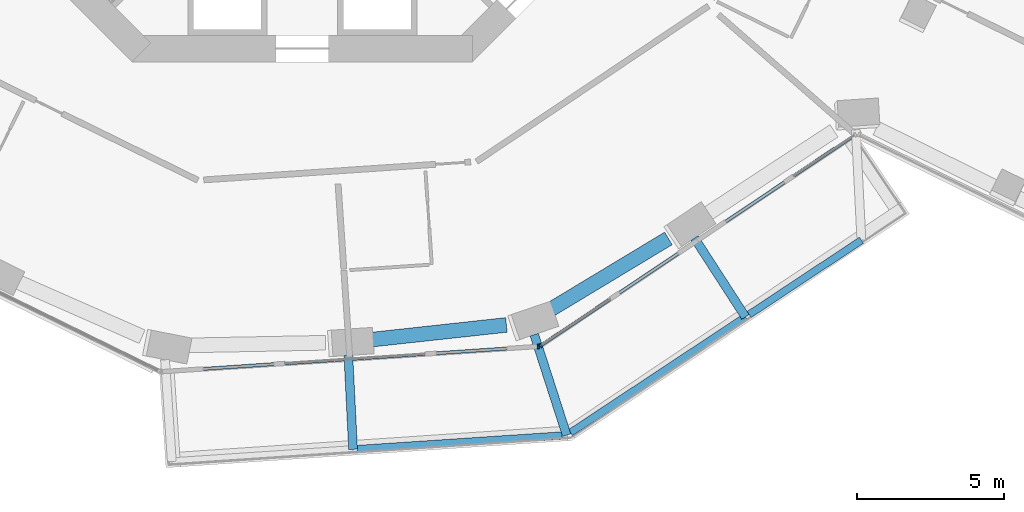
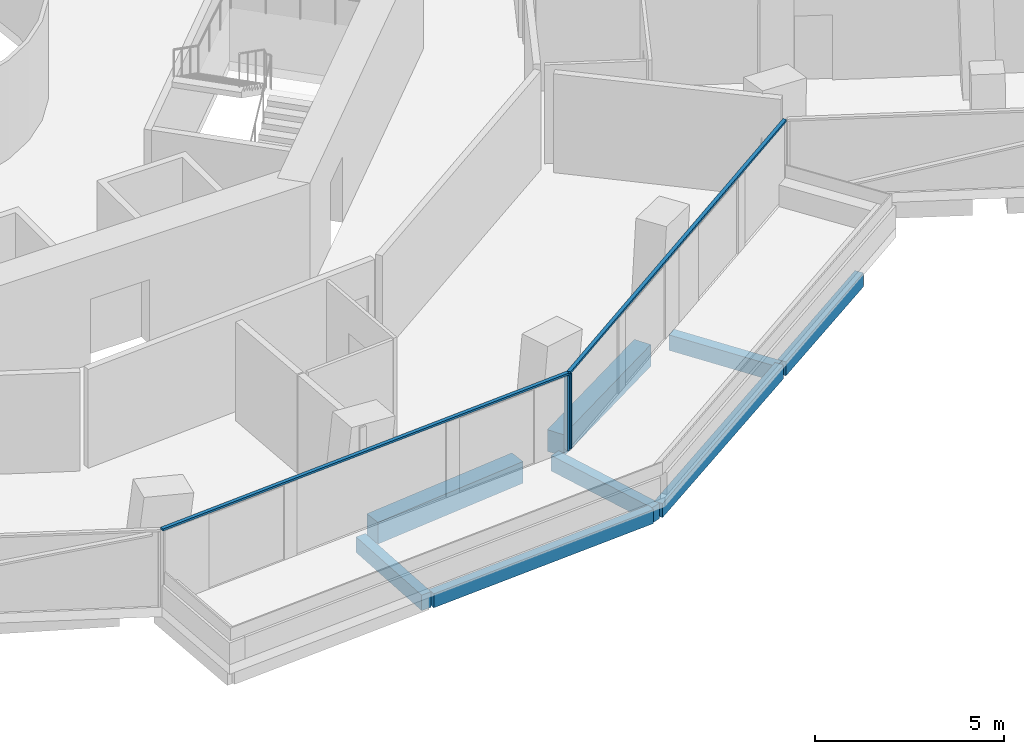
# One storey, part 5 of 25: 8 beams, 4 members, 2 elements without a shape of their own.
"""IFC4 building model written with IfcOpenShell, lengths in metres."""

from ifc_helpers import new_model, si_unit, direction, frame, origin, origin_2d, place, context, subcontext, project, spatial, rectangle, extrude, material, layer, layer_set, material_profile, profile_set, type_object, element, aggregate, save


model = new_model("IFC4")

# Units and contexts
model_context = context("Model", 3, precision=1e-05, world=origin(), true_north=direction((0.0, 1.0)))
body_context = subcontext(model_context, "Body", "Model", "MODEL_VIEW")
ifc_project = project(units=[si_unit("LENGTHUNIT", "METRE"), si_unit("AREAUNIT", "SQUARE_METRE"), si_unit("VOLUMEUNIT", "CUBIC_METRE"), si_unit("PLANEANGLEUNIT", "RADIAN"), si_unit("MASSUNIT", "GRAM", prefix="KILO")], contexts=[model_context])

# Site, building, storey
site_placement = place(None, origin())
site = spatial("IfcSite", under=ifc_project, at=site_placement, CompositionType="ELEMENT")
building_placement = place(site_placement, origin())
building = spatial("IfcBuilding", under=site, at=building_placement, Name="Verdalira Terraces Hotel", CompositionType="ELEMENT")
storey_placement = place(building_placement, frame((0.0, 0.0, 49.5)))
storey = spatial("IfcBuildingStorey", under=building, at=storey_placement, Name="L10", CompositionType="ELEMENT", Elevation=49.5)

# Beams
ifc_material_1 = material(Name="Concrete C40", Category="concrete")
ifc_material_profile_1 = material_profile(ifc_material_1, rectangle(XDim=0.300049, YDim=0.5, at=origin_2d()), Name="RC 300X500")
ifc_profile_set_1 = profile_set([ifc_material_profile_1], Name="Concrete C40")
beam_type_1 = type_object("IfcBeamType", Name="Balcony cantilever beam RC 300X500 C40", PredefinedType="BEAM", material=ifc_profile_set_1)
beam_1_placement = place(storey_placement, frame((1.568604, -24.006836, -0.560059), z_axis=(0.050264776, -0.998735927, 0.0), x_axis=(0.998735927, 0.050264776, 0.0)))
element("IfcBeam", 1, at=beam_1_placement, inside=storey, type_object=beam_type_1, Name="Balcony cantilever beam R26-2", PredefinedType="BEAM", context=body_context, shape_type="SweptSolid", body=[
    extrude(rectangle(XDim=0.300049, YDim=0.5, at=origin_2d()), origin(), (0.0, 0.0, 1.0), 3.200928),
])
beam_2_placement = place(storey_placement, frame((7.90332, -23.296875, -0.560059), z_axis=(0.306990884, -0.951712455, 0.0), x_axis=(0.951712455, 0.306990884, 0.0)))
element("IfcBeam", 2, at=beam_2_placement, inside=storey, type_object=beam_type_1, Name="Balcony cantilever beam R26-3", PredefinedType="BEAM", context=body_context, shape_type="SweptSolid", body=[
    extrude(rectangle(XDim=0.300049, YDim=0.5, at=origin_2d()), origin(), (0.0, 0.0, 1.0), 3.5979),
])
beam_3_placement = place(storey_placement, frame((13.361816, -20.006104, -0.560059), z_axis=(0.542887551, -0.839805398, 0.0), x_axis=(0.839805398, 0.542887551, 0.0)))
element("IfcBeam", 3, at=beam_3_placement, inside=storey, type_object=beam_type_1, Name="Balcony cantilever beam R26-4", PredefinedType="BEAM", context=body_context, shape_type="SweptSolid", body=[
    extrude(rectangle(XDim=0.300049, YDim=0.5, at=origin_2d()), origin(), (0.0, 0.0, 1.0), 3.200928),
])
ifc_material_2 = material(Name="Concrete C40", Category="concrete")
ifc_material_profile_2 = material_profile(ifc_material_2, rectangle(XDim=0.25, YDim=0.449951, at=origin_2d()), Name="RC 250X450")
ifc_profile_set_2 = profile_set([ifc_material_profile_2], Name="Concrete C40")
beam_type_2 = type_object("IfcBeamType", Name="Balcony edge beam RC 250X450 C40", PredefinedType="BEAM", material=ifc_profile_set_2)
beam_4_placement = place(storey_placement, frame((1.87915, -27.193604, -0.534912), z_axis=(0.997809356, 0.066155036, 0.0), x_axis=(-0.066155036, 0.997809356, 0.0)))
element("IfcBeam", 4, at=beam_4_placement, inside=storey, type_object=beam_type_2, Name="Balcony edge beam R26-2", PredefinedType="BEAM", context=body_context, shape_type="SweptSolid", body=[
    extrude(rectangle(XDim=0.25, YDim=0.449951, at=origin_2d()), origin(), (0.0, 0.0, 1.0), 6.989746),
])
beam_5_placement = place(storey_placement, frame((9.137695, -26.635254, -0.534912), z_axis=(0.834219707, 0.551432208, 0.0), x_axis=(-0.551432208, 0.834219707, 0.0)))
element("IfcBeam", 5, at=beam_5_placement, inside=storey, type_object=beam_type_2, Name="Balcony edge beam R26-3", PredefinedType="BEAM", context=body_context, shape_type="SweptSolid", body=[
    extrude(rectangle(XDim=0.25, YDim=0.449951, at=origin_2d()), origin(), (0.0, 0.0, 1.0), 7.146729),
])
beam_6_placement = place(storey_placement, frame((15.224609, -22.611572, -0.534912), z_axis=(0.833904467, 0.551908816, 0.0), x_axis=(-0.551908816, 0.833904467, 0.0)))
element("IfcBeam", 6, at=beam_6_placement, inside=storey, type_object=beam_type_2, Name="Balcony edge beam R26-4", PredefinedType="BEAM", context=body_context, shape_type="SweptSolid", body=[
    extrude(rectangle(XDim=0.25, YDim=0.449951, at=origin_2d()), origin(), (0.0, 0.0, 1.0), 4.586914),
])

# Curtain wall, member
ifc_material_3 = material(Name="Clear glass", Category="glass")
ifc_layer = layer(ifc_material_3, 0.14990234375)
ifc_layer_set = layer_set([ifc_layer], Name="CW1 curtain wall")
curtain_wall_type = type_object("IfcCurtainWallType", Name="CW1 curtain wall", PredefinedType="NOTDEFINED", material=ifc_layer_set)
curtain_wall_1_placement = place(storey_placement, origin())
curtain_wall_1 = element("IfcCurtainWall", 7, at=curtain_wall_1_placement, inside=storey, type_object=curtain_wall_type, Name="CW1 curtain wall L10 edge 26", PredefinedType="NOTDEFINED")
ifc_material_4 = material(Name="Terracotta frame", Category="masonry")
ifc_material_profile_3 = material_profile(ifc_material_4, rectangle(XDim=0.060059, YDim=0.149902, at=origin_2d()), Name="MU 60x150")
ifc_profile_set_3 = profile_set([ifc_material_profile_3], Name="Terracotta frame")
member_type_1 = type_object("IfcMemberType", Name="CW1 mullion 60x150", PredefinedType="MULLION", material=ifc_profile_set_3)
member_1_placement = place(storey_placement, frame((8.034912, -23.698486, 0.0), z_axis=(0.0, 0.0, 1.0), x_axis=(0.997754957, 0.066970481, 0.0)))
member_1 = element("IfcMember", 8, at=member_1_placement, type_object=member_type_1, Name="CW1 mullion", PredefinedType="MULLION", context=body_context, shape_type="SweptSolid", body=[
    extrude(rectangle(XDim=0.060059, YDim=0.149902, at=origin_2d()), origin(), (0.0, 0.0, 1.0), 2.425049),
])

curtain_wall_2_placement = place(storey_placement, origin())
curtain_wall_2 = element("IfcCurtainWall", 9, at=curtain_wall_2_placement, inside=storey, type_object=curtain_wall_type, Name="CW1 curtain wall L10 edge 27", PredefinedType="NOTDEFINED")
member_2_placement = place(storey_placement, frame((8.126465, -23.667236, 0.0), z_axis=(0.0, 0.0, 1.0), x_axis=(0.830595899, 0.556875616, 0.0)))
member_2 = element("IfcMember", 10, at=member_2_placement, type_object=member_type_1, Name="CW1 mullion", PredefinedType="MULLION", context=body_context, shape_type="SweptSolid", body=[
    extrude(rectangle(XDim=0.060059, YDim=0.149902, at=origin_2d()), origin(), (0.0, 0.0, 1.0), 2.425049),
])

# Member
ifc_material_5 = material(Name="Terracotta frame", Category="masonry")
ifc_material_profile_4 = material_profile(ifc_material_5, rectangle(XDim=0.110107, YDim=0.064941, at=origin_2d()), Name="TR 65x110")
ifc_profile_set_4 = profile_set([ifc_material_profile_4], Name="Terracotta frame")
member_type_2 = type_object("IfcMemberType", Name="CW1 transom 65x110", PredefinedType="USERDEFINED", material=ifc_profile_set_4)
member_3_placement = place(storey_placement, frame((-4.825684, -24.561768, 2.45752), z_axis=(0.997754954, 0.066970522, 0.0), x_axis=(-0.066970522, 0.997754954, 0.0)))
member_3 = element("IfcMember", 11, at=member_3_placement, type_object=member_type_2, Name="CW1 transom", ObjectType="TRANSOM", PredefinedType="USERDEFINED", context=body_context, shape_type="SweptSolid", body=[
    extrude(rectangle(XDim=0.110107, YDim=0.064941, at=origin_2d()), origin(), (0.0, 0.0, 1.0), 12.919678),
])

aggregate(curtain_wall_1, [member_1, member_3])

member_4_placement = place(storey_placement, frame((8.101562, -23.683838, 2.45752), z_axis=(0.830595453, 0.556876283, 0.0), x_axis=(-0.556876283, 0.830595453, 0.0)))
member_4 = element("IfcMember", 12, at=member_4_placement, type_object=member_type_2, Name="CW1 transom", ObjectType="TRANSOM", PredefinedType="USERDEFINED", context=body_context, shape_type="SweptSolid", body=[
    extrude(rectangle(XDim=0.110107, YDim=0.064941, at=origin_2d()), origin(), (0.0, 0.0, 1.0), 12.959961),
])

aggregate(curtain_wall_2, [member_2, member_4])

# Beams
ifc_material_6 = material(Name="Concrete C70", Category="concrete")
ifc_material_profile_5 = material_profile(ifc_material_6, rectangle(XDim=0.5, YDim=0.699951, at=origin_2d()), Name="RC 500X700")
ifc_profile_set_5 = profile_set([ifc_material_profile_5], Name="Concrete C70")
beam_type_3 = type_object("IfcBeamType", Name="Spandrel beam RC 500X700 C70", PredefinedType="SPANDREL", material=ifc_profile_set_5)
beam_7_placement = place(storey_placement, frame((2.227295, -23.481201, -0.659912), z_axis=(0.994104591, 0.108425372, 0.0), x_axis=(-0.108425372, 0.994104591, 0.0)))
element("IfcBeam", 13, at=beam_7_placement, inside=storey, type_object=beam_type_3, Name="Spandrel beam B22", PredefinedType="SPANDREL", context=body_context, shape_type="SweptSolid", body=[
    extrude(rectangle(XDim=0.5, YDim=0.699951, at=origin_2d()), origin(), (0.0, 0.0, 1.0), 4.755615),
])
beam_8_placement = place(storey_placement, frame((8.398193, -22.476318, -0.659912), z_axis=(0.856318318, 0.516448389, 0.0), x_axis=(-0.516448389, 0.856318318, 0.0)))
element("IfcBeam", 14, at=beam_8_placement, inside=storey, type_object=beam_type_3, Name="Spandrel beam B23", PredefinedType="SPANDREL", context=body_context, shape_type="SweptSolid", body=[
    extrude(rectangle(XDim=0.5, YDim=0.699951, at=origin_2d()), origin(), (0.0, 0.0, 1.0), 4.759033),
])

save(model, "model.ifc")
